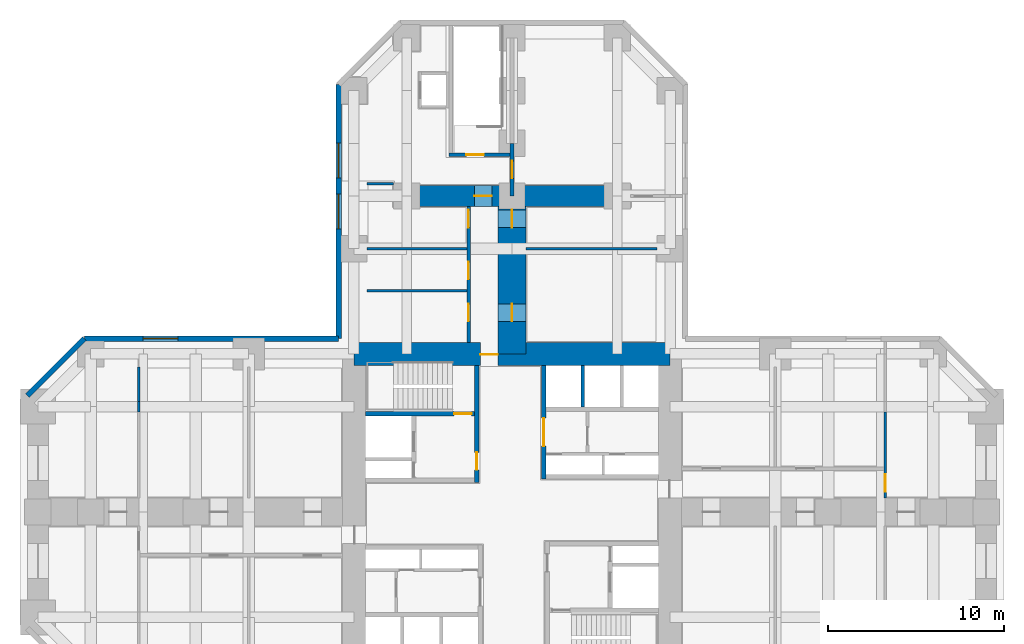
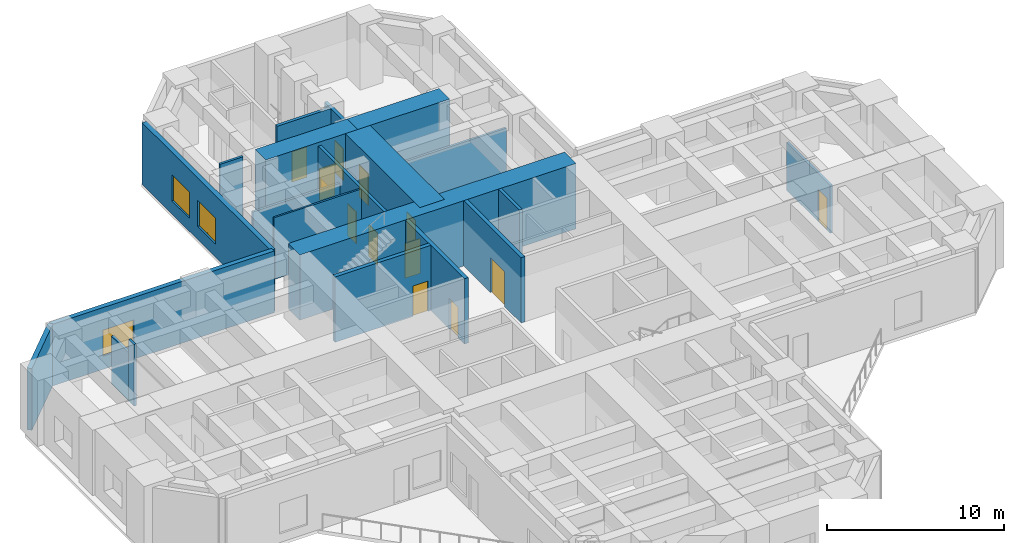
# One storey, part 6 of 8: 21 walls, 13 doors, 3 windows, 16 openings.
"""IFC4 building model written with IfcOpenShell, lengths in metres."""

from ifc_helpers import new_model, si_unit, direction, frame, frame_2d, origin, place, context, subcontext, project, spatial, rectangle, hollow_rectangle, extrude, material, layer, layer_set, constituent, constituent_set, type_object, element, fill, save


model = new_model("IFC4")

# Units and contexts
model_context = context("Model", 3, precision=1e-05, world=origin(), true_north=direction((0.0, 1.0)))
body_context = subcontext(model_context, "Body", "Model", "MODEL_VIEW")
ifc_project = project(units=[si_unit("LENGTHUNIT", "METRE"), si_unit("AREAUNIT", "SQUARE_METRE"), si_unit("VOLUMEUNIT", "CUBIC_METRE"), si_unit("PLANEANGLEUNIT", "RADIAN"), si_unit("MASSUNIT", "GRAM", prefix="KILO")], contexts=[model_context])

# Site, building, storey
site_placement = place(None, origin())
site = spatial("IfcSite", under=ifc_project, at=site_placement, CompositionType="ELEMENT")
building_placement = place(site_placement, origin())
building = spatial("IfcBuilding", under=site, at=building_placement, Name="Torre Cruceta", CompositionType="ELEMENT")
storey_placement = place(building_placement, frame((0.0, 0.0, 14.0)))
storey = spatial("IfcBuildingStorey", under=building, at=storey_placement, Name="L03", CompositionType="ELEMENT", Elevation=14.0)

# Wall, opening, door
ifc_material_1 = material(Name="Concrete G60 (fck 60 MPa)", Category="concrete")
ifc_layer_1 = layer(ifc_material_1, 0.25)
ifc_layer_set_1 = layer_set([ifc_layer_1], Name="Concrete G60 (fck 60 MPa)")
wall_type_1 = type_object("IfcWallType", Name="CORE INNER WALL 250 G60", PredefinedType="SHEAR", material=ifc_layer_set_1)
wall_1_placement = place(storey_placement, frame((1.800048828125, 1.875, 0.0), z_axis=(0.0, 0.0, 1.0), x_axis=(0.0, 1.0, 0.0)))
wall_1 = element("IfcWall", 1, at=wall_1_placement, inside=storey, type_object=wall_type_1, Name="CW4 L03 NE-CU", PredefinedType="SHEAR", context=body_context, shape_type="SweptSolid", body=[
    extrude(rectangle(XDim=6.47509765625, YDim=0.25, at=frame_2d((3.237548828125, 0.0))), origin(), (0.0, 0.0, 1.0), 4.5),
])
opening_1_placement = place(wall_1_placement, frame((1.875, 0.0, 0.0)))
opening_1 = element("IfcOpeningElement", 2, at=opening_1_placement, cuts=wall_1, Name="Opening D15", PredefinedType="OPENING", context=body_context, shape_type="SweptSolid", body=[
    extrude(rectangle(XDim=1.60009765625, YDim=2.39990234375, at=frame_2d((0.800048828125, 1.199951171875))), frame((0.0, 0.135009765625, 0.0), z_axis=(0.0, -1.0, 0.0), x_axis=(1.0, 0.0, 0.0)), (0.0, 0.0, 1.0), 0.27001953125),
])
ifc_material_2 = material(Name="Steel DX51D", Category="steel")
ifc_constituent_1 = constituent(ifc_material_2, Name="Leaf and frame")
ifc_material_3 = material(Name="Polyester powder coating", Category="paint")
ifc_constituent_2 = constituent(ifc_material_3, Name="Finish")
ifc_constituent_set_1 = constituent_set(constituents=[ifc_constituent_1, ifc_constituent_2], Name="Steel fire door")
door_type_1 = type_object("IfcDoorType", Name="CORE ROOM DOUBLE DOOR 1600X2400", OperationType="DOUBLE_DOOR_SINGLE_SWING", PredefinedType="DOOR", material=ifc_constituent_set_1)
door_1_placement = place(opening_1_placement, frame((1.60009765625, 0.0, 0.0), z_axis=(0.0, 0.0, 1.0), x_axis=(-1.0, 0.0, 0.0)))
door_1 = element("IfcDoor", 3, at=door_1_placement, inside=storey, type_object=door_type_1, Name="D15 L03 NE-LOBBY", OperationType="DOUBLE_DOOR_SINGLE_SWING", OverallHeight=2.39990234375, OverallWidth=1.60009765625, PredefinedType="DOOR", context=body_context, shape_type="SweptSolid", body=[
    extrude(rectangle(XDim=1.60009765625, YDim=2.39990234375, at=frame_2d((0.800048828125, 1.199951171875))), frame((0.0, 0.025146484375, 0.0), z_axis=(0.0, -1.0, 0.0), x_axis=(1.0, 0.0, 0.0)), (0.0, 0.0, 1.0), 0.050048828125),
])
fill(opening_1, door_1)

wall_2_placement = place(storey_placement, frame((-2.0, 1.675048828125, 0.0), z_axis=(0.0, 0.0, 1.0), x_axis=(0.0, 1.0, 0.0)))
wall_2 = element("IfcWall", 4, at=wall_2_placement, inside=storey, type_object=wall_type_1, Name="CW4 L03 NW-CU", PredefinedType="SHEAR", context=body_context, shape_type="SweptSolid", body=[
    extrude(rectangle(XDim=6.675048828125, YDim=0.25, at=frame_2d((3.33740234375, 0.0))), origin(), (0.0, 0.0, 1.0), 4.5),
])
opening_2_placement = place(wall_2_placement, frame((0.72509765625, 0.0, 0.0)))
opening_2 = element("IfcOpeningElement", 5, at=opening_2_placement, cuts=wall_2, Name="Opening D3", PredefinedType="OPENING", context=body_context, shape_type="SweptSolid", body=[
    extrude(rectangle(XDim=1.0, YDim=2.10009765625, at=frame_2d((0.5, 1.050048828125))), frame((0.0, 0.135009765625, 0.0), z_axis=(0.0, -1.0, 0.0), x_axis=(1.0, 0.0, 0.0)), (0.0, 0.0, 1.0), 0.27001953125),
])
ifc_material_4 = material(Name="Steel DX51D", Category="steel")
ifc_constituent_3 = constituent(ifc_material_4, Name="Leaf and frame")
ifc_material_5 = material(Name="Polyester powder coating", Category="paint")
ifc_constituent_4 = constituent(ifc_material_5, Name="Finish")
ifc_constituent_set_2 = constituent_set(constituents=[ifc_constituent_3, ifc_constituent_4], Name="Steel fire door")
door_type_2 = type_object("IfcDoorType", Name="FIRE DOOR 1000X2100", OperationType="SINGLE_SWING_LEFT", PredefinedType="DOOR", material=ifc_constituent_set_2)
door_2_placement = place(opening_2_placement, origin())
door_2 = element("IfcDoor", 6, at=door_2_placement, inside=storey, type_object=door_type_2, Name="D3 L03 NW-LOBBY", OperationType="SINGLE_SWING_LEFT", OverallHeight=2.10009765625, OverallWidth=1.0, PredefinedType="DOOR", context=body_context, shape_type="SweptSolid", body=[
    extrude(rectangle(XDim=1.0, YDim=2.10009765625, at=frame_2d((0.5, 1.050048828125))), frame((0.0, 0.02490234375, 0.0), z_axis=(0.0, -1.0, 0.0), x_axis=(1.0, 0.0, 0.0)), (0.0, 0.0, 1.0), 0.050048828125),
])
fill(opening_2, door_2)

wall_3_placement = place(storey_placement, frame((-2.125, 5.60009765625, 0.0), z_axis=(0.0, 0.0, 1.0), x_axis=(-1.0, 0.0, 0.0)))
wall_3 = element("IfcWall", 7, at=wall_3_placement, inside=storey, type_object=wall_type_1, Name="CW4 L03 NW-SV", PredefinedType="SHEAR", context=body_context, shape_type="SweptSolid", body=[
    extrude(rectangle(XDim=6.22509765625, YDim=0.25, at=frame_2d((3.112548828125, 0.0))), origin(), (0.0, 0.0, 1.0), 4.5),
])
opening_3_placement = place(wall_3_placement, frame((0.175048828125, 0.0, 0.0)))
opening_3 = element("IfcOpeningElement", 8, at=opening_3_placement, cuts=wall_3, Name="Opening D3", PredefinedType="OPENING", context=body_context, shape_type="SweptSolid", body=[
    extrude(rectangle(XDim=1.0, YDim=2.10009765625, at=frame_2d((0.5, 1.050048828125))), frame((0.0, 0.135009765625, 0.0), z_axis=(0.0, -1.0, 0.0), x_axis=(1.0, 0.0, 0.0)), (0.0, 0.0, 1.0), 0.27001953125),
])
door_3_placement = place(opening_3_placement, frame((1.0, 0.0, 0.0), z_axis=(0.0, 0.0, 1.0), x_axis=(-1.0, 0.0, 0.0)))
door_3 = element("IfcDoor", 9, at=door_3_placement, inside=storey, type_object=door_type_2, Name="D3 L03 NW-STAIR", OperationType="SINGLE_SWING_RIGHT", OverallHeight=2.10009765625, OverallWidth=1.0, PredefinedType="DOOR", context=body_context, shape_type="SweptSolid", body=[
    extrude(rectangle(XDim=1.0, YDim=2.10009765625, at=frame_2d((0.5, 1.050048828125))), frame((0.0, 0.025146484375, 0.0), z_axis=(0.0, -1.0, 0.0), x_axis=(1.0, 0.0, 0.0)), (0.0, 0.0, 1.0), 0.050048828125),
])
fill(opening_3, door_3)

ifc_material_6 = material(Name="Concrete G60 (fck 60 MPa)", Category="concrete")
ifc_layer_2 = layer(ifc_material_6, 1.300048828125)
ifc_layer_set_2 = layer_set([ifc_layer_2], Name="Concrete G60 (fck 60 MPa)")
wall_type_2 = type_object("IfcWallType", Name="CORE WALL 1300 G60", PredefinedType="SHEAR", material=ifc_layer_set_2)
wall_4_placement = place(storey_placement, frame((9.0, 9.0, 0.0), z_axis=(0.0, 0.0, 1.0), x_axis=(-1.0, 0.0, 0.0)))
wall_4 = element("IfcWall", 10, at=wall_4_placement, inside=storey, type_object=wall_type_2, Name="CW1 L03 CW-N", PredefinedType="SHEAR", context=body_context, shape_type="SweptSolid", body=[
    extrude(rectangle(XDim=18.0, YDim=1.300048828125, at=frame_2d((9.0, 0.0))), origin(), (0.0, 0.0, 1.0), 4.5),
])
opening_4_placement = place(wall_4_placement, frame((9.800048828125, 0.0, 0.0)))
opening_4 = element("IfcOpeningElement", 11, at=opening_4_placement, cuts=wall_4, Name="Opening D4", PredefinedType="OPENING", context=body_context, shape_type="SweptSolid", body=[
    extrude(rectangle(XDim=1.0, YDim=2.39990234375, at=frame_2d((0.5, 1.199951171875))), frame((0.0, 0.659912109375, 0.0), z_axis=(0.0, -1.0, 0.0), x_axis=(1.0, 0.0, 0.0)), (0.0, 0.0, 1.0), 1.320068359375),
])
ifc_material_7 = material(Name="Steel DX51D", Category="steel")
ifc_constituent_5 = constituent(ifc_material_7, Name="Leaf and frame")
ifc_material_8 = material(Name="Polyester powder coating", Category="paint")
ifc_constituent_6 = constituent(ifc_material_8, Name="Finish")
ifc_constituent_set_3 = constituent_set(constituents=[ifc_constituent_5, ifc_constituent_6], Name="Steel fire door")
door_type_3 = type_object("IfcDoorType", Name="CORE ARM DOOR 1000X2400", OperationType="SINGLE_SWING_RIGHT", PredefinedType="DOOR", material=ifc_constituent_set_3)
door_4_placement = place(opening_4_placement, origin())
door_4 = element("IfcDoor", 12, at=door_4_placement, inside=storey, type_object=door_type_3, Name="D4 L03 CW-N", OperationType="SINGLE_SWING_RIGHT", OverallHeight=2.39990234375, OverallWidth=1.0, PredefinedType="DOOR", context=body_context, shape_type="SweptSolid", body=[
    extrude(rectangle(XDim=1.0, YDim=2.39990234375, at=frame_2d((0.5, 1.199951171875))), frame((0.0, 0.05517578125, 0.0), z_axis=(0.0, -1.0, 0.0), x_axis=(1.0, 0.0, 0.0)), (0.0, 0.0, 1.0), 0.050048828125),
])
fill(opening_4, door_4)

# Wall, openings, doors
ifc_material_9 = material(Name="Concrete G25 (fck 25 MPa)", Category="concrete")
ifc_layer_3 = layer(ifc_material_9, 0.199951171875)
ifc_layer_set_3 = layer_set([ifc_layer_3], Name="Concrete G25 (fck 25 MPa)")
wall_type_3 = type_object("IfcWallType", Name="CORRIDOR WALL 200", PredefinedType="SOLIDWALL", material=ifc_layer_set_3)
wall_5_placement = place(storey_placement, frame((-2.47509765625, 9.64990234375, 0.0), z_axis=(0.0, 0.0, 1.0), x_axis=(0.0, 1.0, 0.0)))
wall_5 = element("IfcWall", 13, at=wall_5_placement, inside=storey, type_object=wall_type_3, Name="PT3 L03-N-CL", PredefinedType="SOLIDWALL", context=body_context, shape_type="SweptSolid", body=[
    extrude(rectangle(XDim=7.75, YDim=0.199951171875, at=frame_2d((3.875, 0.0))), origin(), (0.0, 0.0, 1.0), 4.25),
])
opening_5_placement = place(wall_5_placement, frame((1.199951171875, 0.0, 0.0)))
opening_5 = element("IfcOpeningElement", 14, at=opening_5_placement, cuts=wall_5, Name="Opening D14", PredefinedType="OPENING", context=body_context, shape_type="SweptSolid", body=[
    extrude(rectangle(XDim=1.0, YDim=2.199951171875, at=frame_2d((0.5, 1.10009765625))), frame((0.0, 0.10986328125, 0.0), z_axis=(0.0, -1.0, 0.0), x_axis=(1.0, 0.0, 0.0)), (0.0, 0.0, 1.0), 0.219970703125),
])
opening_6_placement = place(wall_5_placement, frame((3.60009765625, 0.0, 0.0)))
opening_6 = element("IfcOpeningElement", 15, at=opening_6_placement, cuts=wall_5, Name="Opening D14", PredefinedType="OPENING", context=body_context, shape_type="SweptSolid", body=[
    extrude(rectangle(XDim=1.0, YDim=2.199951171875, at=frame_2d((0.5, 1.10009765625))), frame((0.0, 0.10986328125, 0.0), z_axis=(0.0, -1.0, 0.0), x_axis=(1.0, 0.0, 0.0)), (0.0, 0.0, 1.0), 0.219970703125),
])
opening_7_placement = place(wall_5_placement, frame((6.550048828125, 0.0, 0.0)))
opening_7 = element("IfcOpeningElement", 16, at=opening_7_placement, cuts=wall_5, Name="Opening D14", PredefinedType="OPENING", context=body_context, shape_type="SweptSolid", body=[
    extrude(rectangle(XDim=1.0, YDim=2.199951171875, at=frame_2d((0.5, 1.10009765625))), frame((0.0, 0.10986328125, 0.0), z_axis=(0.0, -1.0, 0.0), x_axis=(1.0, 0.0, 0.0)), (0.0, 0.0, 1.0), 0.219970703125),
])
ifc_material_10 = material(Name="Steel DX51D", Category="steel")
ifc_constituent_7 = constituent(ifc_material_10, Name="Leaf and frame")
ifc_material_11 = material(Name="Polyester powder coating", Category="paint")
ifc_constituent_8 = constituent(ifc_material_11, Name="Finish")
ifc_material_12 = material(Name="Fire-resisting glass", Category="glass")
ifc_constituent_9 = constituent(ifc_material_12, Name="Vision panel")
ifc_constituent_set_4 = constituent_set(constituents=[ifc_constituent_7, ifc_constituent_8, ifc_constituent_9], Name="Steel fire door with vision panel")
door_type_4 = type_object("IfcDoorType", Name="FIRE DOOR VISION PANEL 1000X2200", OperationType="SINGLE_SWING_RIGHT", PredefinedType="DOOR", material=ifc_constituent_set_4)
door_5_placement = place(opening_5_placement, origin())
door_5 = element("IfcDoor", 17, at=door_5_placement, inside=storey, type_object=door_type_4, Name="D14 L03-N-CL-D1", OperationType="SINGLE_SWING_RIGHT", OverallHeight=2.199951171875, OverallWidth=1.0, PredefinedType="DOOR", context=body_context, shape_type="SweptSolid", body=[
    extrude(rectangle(XDim=1.0, YDim=2.199951171875, at=frame_2d((0.5, 1.10009765625))), frame((0.0, 0.02490234375, 0.0), z_axis=(0.0, -1.0, 0.0), x_axis=(1.0, 0.0, 0.0)), (0.0, 0.0, 1.0), 0.050048828125),
])
fill(opening_5, door_5)
door_6_placement = place(opening_6_placement, origin())
door_6 = element("IfcDoor", 18, at=door_6_placement, inside=storey, type_object=door_type_4, Name="D14 L03-N-CL-D2", OperationType="SINGLE_SWING_LEFT", OverallHeight=2.199951171875, OverallWidth=1.0, PredefinedType="DOOR", context=body_context, shape_type="SweptSolid", body=[
    extrude(rectangle(XDim=1.0, YDim=2.199951171875, at=frame_2d((0.5, 1.10009765625))), frame((0.0, 0.02490234375, 0.0), z_axis=(0.0, -1.0, 0.0), x_axis=(1.0, 0.0, 0.0)), (0.0, 0.0, 1.0), 0.050048828125),
])
fill(opening_6, door_6)
door_7_placement = place(opening_7_placement, origin())
door_7 = element("IfcDoor", 19, at=door_7_placement, inside=storey, type_object=door_type_4, Name="D14 L03-N-CL-D3", OperationType="SINGLE_SWING_RIGHT", OverallHeight=2.199951171875, OverallWidth=1.0, PredefinedType="DOOR", context=body_context, shape_type="SweptSolid", body=[
    extrude(rectangle(XDim=1.0, YDim=2.199951171875, at=frame_2d((0.5, 1.10009765625))), frame((0.0, 0.02490234375, 0.0), z_axis=(0.0, -1.0, 0.0), x_axis=(1.0, 0.0, 0.0)), (0.0, 0.0, 1.0), 0.050048828125),
])
fill(opening_7, door_7)

# Wall, opening, door
wall_6_placement = place(storey_placement, frame((0.0, 18.0, 0.0), z_axis=(0.0, 0.0, 1.0), x_axis=(0.0, 1.0, 0.0)))
wall_6 = element("IfcWall", 20, at=wall_6_placement, inside=storey, type_object=wall_type_3, Name="PT3 spine line L03 N", PredefinedType="SOLIDWALL", context=body_context, shape_type="SweptSolid", body=[
    extrude(rectangle(XDim=3.0, YDim=0.199951171875, at=frame_2d((1.5, 0.0))), origin(), (0.0, 0.0, 1.0), 4.25),
])
opening_8_placement = place(wall_6_placement, frame((1.0, 0.0, 0.0)))
opening_8 = element("IfcOpeningElement", 21, at=opening_8_placement, cuts=wall_6, Name="Opening D14", PredefinedType="OPENING", context=body_context, shape_type="SweptSolid", body=[
    extrude(rectangle(XDim=1.0, YDim=2.199951171875, at=frame_2d((0.5, 1.10009765625))), frame((0.0, 0.10986328125, 0.0), z_axis=(0.0, -1.0, 0.0), x_axis=(1.0, 0.0, 0.0)), (0.0, 0.0, 1.0), 0.219970703125),
])
door_8_placement = place(opening_8_placement, frame((1.0, 0.0, 0.0), z_axis=(0.0, 0.0, 1.0), x_axis=(-1.0, 0.0, 0.0)))
door_8 = element("IfcDoor", 22, at=door_8_placement, inside=storey, type_object=door_type_4, Name="D14 L03-N-SP3", OperationType="SINGLE_SWING_RIGHT", OverallHeight=2.199951171875, OverallWidth=1.0, PredefinedType="DOOR", context=body_context, shape_type="SweptSolid", body=[
    extrude(rectangle(XDim=1.0, YDim=2.199951171875, at=frame_2d((0.5, 1.10009765625))), frame((0.0, 0.025146484375, 0.0), z_axis=(0.0, -1.0, 0.0), x_axis=(1.0, 0.0, 0.0)), (0.0, 0.0, 1.0), 0.050048828125),
])
fill(opening_8, door_8)

ifc_material_13 = material(Name="Concrete G60 (fck 60 MPa)", Category="concrete")
ifc_layer_4 = layer(ifc_material_13, 1.199951171875)
ifc_layer_set_4 = layer_set([ifc_layer_4], Name="Concrete G60 (fck 60 MPa)")
wall_type_4 = type_object("IfcWallType", Name="CROSS WALL 1200 G60", PredefinedType="SHEAR", material=ifc_layer_set_4)
wall_7_placement = place(storey_placement, frame((0.0, 18.0, 0.0), z_axis=(0.0, 0.0, 1.0), x_axis=(-1.0, 0.0, 0.0)))
wall_7 = element("IfcWall", 23, at=wall_7_placement, inside=storey, type_object=wall_type_4, Name="XW1 cross wall L03 N L", PredefinedType="SHEAR", context=body_context, shape_type="SweptSolid", body=[
    extrude(rectangle(XDim=6.0, YDim=1.199951171875, at=frame_2d((3.0, 0.0))), origin(), (0.0, 0.0, 1.0), 4.5),
])
opening_9_placement = place(wall_7_placement, frame((1.14990234375, 0.0, 0.0)))
opening_9 = element("IfcOpeningElement", 24, at=opening_9_placement, cuts=wall_7, Name="Opening D14", PredefinedType="OPENING", context=body_context, shape_type="SweptSolid", body=[
    extrude(rectangle(XDim=1.0, YDim=2.199951171875, at=frame_2d((0.5, 1.10009765625))), frame((0.0, 0.60986328125, 0.0), z_axis=(0.0, -1.0, 0.0), x_axis=(1.0, 0.0, 0.0)), (0.0, 0.0, 1.0), 1.219970703125),
])
door_9_placement = place(opening_9_placement, frame((1.0, 0.0, 0.0), z_axis=(0.0, 0.0, 1.0), x_axis=(-1.0, 0.0, 0.0)))
door_9 = element("IfcDoor", 25, at=door_9_placement, inside=storey, type_object=door_type_4, Name="D14 L03-N-XW1", OperationType="SINGLE_SWING_RIGHT", OverallHeight=2.199951171875, OverallWidth=1.0, PredefinedType="DOOR", context=body_context, shape_type="SweptSolid", body=[
    extrude(rectangle(XDim=1.0, YDim=2.199951171875, at=frame_2d((0.5, 1.10009765625))), frame((0.0, 0.025146484375, 0.0), z_axis=(0.0, -1.0, 0.0), x_axis=(1.0, 0.0, 0.0)), (0.0, 0.0, 1.0), 0.050048828125),
])
fill(opening_9, door_9)

# Wall
wall_8_placement = place(storey_placement, frame((0.0, 18.0, 0.0), z_axis=(0.0, 0.0, 1.0), x_axis=(1.0, 0.0, 0.0)))
element("IfcWall", 26, at=wall_8_placement, inside=storey, type_object=wall_type_4, Name="XW1 cross wall L03 N R", PredefinedType="SHEAR", context=body_context, shape_type="SweptSolid", body=[
    extrude(rectangle(XDim=6.0, YDim=1.199951171875, at=frame_2d((3.0, 0.0))), origin(), (0.0, 0.0, 1.0), 4.5),
])

# Wall, openings, windows
ifc_material_14 = material(Name="Concrete G30 (fck 30 MPa)", Category="concrete")
ifc_layer_5 = layer(ifc_material_14, 0.300048828125)
ifc_layer_set_5 = layer_set([ifc_layer_5], Name="Concrete G30 (fck 30 MPa)")
wall_type_5 = type_object("IfcWallType", Name="EXPOSED CONCRETE FACADE WALL 300", PredefinedType="SOLIDWALL", material=ifc_layer_set_5)
wall_9_placement = place(storey_placement, frame((-9.8701171875, 24.3603515625, 0.0), z_axis=(0.0, 0.0, 1.0), x_axis=(0.0, -1.0, 0.0)))
wall_9 = element("IfcWall", 27, at=wall_9_placement, inside=storey, type_object=wall_type_5, Name="EW1 facade wall L03 N side 09", PredefinedType="SOLIDWALL", context=body_context, shape_type="SweptSolid", body=[
    extrude(rectangle(XDim=14.490234375, YDim=0.300048828125, at=frame_2d((7.2451171875, 0.0))), origin(), (0.0, 0.0, 1.0), 4.25),
])
opening_10_placement = place(wall_9_placement, frame((3.34716796875, 0.0, 0.89990234375)))
opening_10 = element("IfcOpeningElement", 28, at=opening_10_placement, cuts=wall_9, Name="Opening WN1", PredefinedType="OPENING", context=body_context, shape_type="SweptSolid", body=[
    extrude(rectangle(XDim=2.0, YDim=1.800048828125, at=frame_2d((1.0, 0.89990234375))), frame((0.0, 0.159912109375, 0.0), z_axis=(0.0, -1.0, 0.0), x_axis=(1.0, 0.0, 0.0)), (0.0, 0.0, 1.0), 0.320068359375),
])
opening_11_placement = place(wall_9_placement, frame((6.2451171875, 0.0, 0.89990234375)))
opening_11 = element("IfcOpeningElement", 29, at=opening_11_placement, cuts=wall_9, Name="Opening WN1", PredefinedType="OPENING", context=body_context, shape_type="SweptSolid", body=[
    extrude(rectangle(XDim=2.0, YDim=1.800048828125, at=frame_2d((1.0, 0.89990234375))), frame((0.0, 0.159912109375, 0.0), z_axis=(0.0, -1.0, 0.0), x_axis=(1.0, 0.0, 0.0)), (0.0, 0.0, 1.0), 0.320068359375),
])
ifc_material_15 = material(Name="Aluminium window frame", Category="aluminium")
ifc_constituent_10 = constituent(ifc_material_15, Name="Frame")
ifc_material_16 = material(Name="Laminated insulating glass unit, low-iron clear", Category="glass")
ifc_constituent_11 = constituent(ifc_material_16, Name="Glazing")
ifc_constituent_set_5 = constituent_set(constituents=[ifc_constituent_10, ifc_constituent_11], Name="Aluminium window")
window_type = type_object("IfcWindowType", Name="SCHOOL WINDOW 2000X1800", PartitioningType="SINGLE_PANEL", PredefinedType="WINDOW", material=ifc_constituent_set_5)
window_1_placement = place(opening_10_placement, origin())
window_1 = element("IfcWindow", 30, at=window_1_placement, inside=storey, type_object=window_type, Name="WN1 L03 N 2", OverallHeight=1.800048828125, OverallWidth=2.0, PartitioningType="SINGLE_PANEL", PredefinedType="WINDOW", context=body_context, shape_type="SweptSolid", body=[
    extrude(hollow_rectangle(XDim=2.0, YDim=1.800048828125, WallThickness=0.06005859375, at=frame_2d((1.0, 0.89990234375))), frame((0.0, 0.030029296875, 0.0), z_axis=(0.0, -1.0, 0.0), x_axis=(1.0, 0.0, 0.0)), (0.0, 0.0, 1.0), 0.06005859375),
    extrude(rectangle(XDim=1.87890625, YDim=1.678955078125, at=frame_2d((1.0, 0.89990234375))), frame((0.0, 0.030029296875, 0.0), z_axis=(0.0, -1.0, 0.0), x_axis=(1.0, 0.0, 0.0)), (0.0, 0.0, 1.0), 0.06005859375),
])
fill(opening_10, window_1)
window_2_placement = place(opening_11_placement, origin())
window_2 = element("IfcWindow", 31, at=window_2_placement, inside=storey, type_object=window_type, Name="WN1 L03 N 3", OverallHeight=1.800048828125, OverallWidth=2.0, PartitioningType="SINGLE_PANEL", PredefinedType="WINDOW", context=body_context, shape_type="SweptSolid", body=[
    extrude(hollow_rectangle(XDim=2.0, YDim=1.800048828125, WallThickness=0.06005859375, at=frame_2d((1.0, 0.89990234375))), frame((0.0, 0.030029296875, 0.0), z_axis=(0.0, -1.0, 0.0), x_axis=(1.0, 0.0, 0.0)), (0.0, 0.0, 1.0), 0.06005859375),
    extrude(rectangle(XDim=1.87890625, YDim=1.678955078125, at=frame_2d((1.0, 0.89990234375))), frame((0.0, 0.030029296875, 0.0), z_axis=(0.0, -1.0, 0.0), x_axis=(1.0, 0.0, 0.0)), (0.0, 0.0, 1.0), 0.06005859375),
])
fill(opening_11, window_2)

# Wall, opening, window
wall_10_placement = place(storey_placement, frame((-9.8701171875, 9.8701171875, 0.0), z_axis=(0.0, 0.0, 1.0), x_axis=(-1.0, 0.0, 0.0)))
wall_10 = element("IfcWall", 32, at=wall_10_placement, inside=storey, type_object=wall_type_5, Name="EW1 facade wall L03 W side 10", PredefinedType="SOLIDWALL", context=body_context, shape_type="SweptSolid", body=[
    extrude(rectangle(XDim=14.490234375, YDim=0.300048828125, at=frame_2d((7.2451171875, 0.0))), origin(), (0.0, 0.0, 1.0), 4.25),
])
opening_12_placement = place(wall_10_placement, frame((9.143310546875, 0.0, 0.89990234375)))
opening_12 = element("IfcOpeningElement", 33, at=opening_12_placement, cuts=wall_10, Name="Opening WN1", PredefinedType="OPENING", context=body_context, shape_type="SweptSolid", body=[
    extrude(rectangle(XDim=2.0, YDim=1.800048828125, at=frame_2d((1.0, 0.89990234375))), frame((0.0, 0.159912109375, 0.0), z_axis=(0.0, -1.0, 0.0), x_axis=(1.0, 0.0, 0.0)), (0.0, 0.0, 1.0), 0.320068359375),
])
window_3_placement = place(opening_12_placement, origin())
window_3 = element("IfcWindow", 34, at=window_3_placement, inside=storey, type_object=window_type, Name="WN1 L03 W 4", OverallHeight=1.800048828125, OverallWidth=2.0, PartitioningType="SINGLE_PANEL", PredefinedType="WINDOW", context=body_context, shape_type="SweptSolid", body=[
    extrude(hollow_rectangle(XDim=2.0, YDim=1.800048828125, WallThickness=0.06005859375, at=frame_2d((1.0, 0.89990234375))), frame((0.0, 0.030029296875, 0.0), z_axis=(0.0, -1.0, 0.0), x_axis=(1.0, 0.0, 0.0)), (0.0, 0.0, 1.0), 0.06005859375),
    extrude(rectangle(XDim=1.87890625, YDim=1.678955078125, at=frame_2d((1.0, 0.89990234375))), frame((0.0, 0.030029296875, 0.0), z_axis=(0.0, -1.0, 0.0), x_axis=(1.0, 0.0, 0.0)), (0.0, 0.0, 1.0), 0.06005859375),
])
fill(opening_12, window_3)

# Walls
wall_11_placement = place(storey_placement, frame((-24.3603515625, 9.8701171875, 0.0), z_axis=(0.0, 0.0, 1.0), x_axis=(-0.707106781187, -0.707106781187, 0.0)))
element("IfcWall", 35, at=wall_11_placement, inside=storey, type_object=wall_type_5, Name="EW1 facade wall L03 W chamfer 11", PredefinedType="SOLIDWALL", context=body_context, shape_type="SweptSolid", body=[
    extrude(rectangle(XDim=4.581787109375, YDim=0.300048828125, at=frame_2d((2.291015625, 0.0))), origin(), (0.0, 0.0, 1.0), 4.25),
])
ifc_material_17 = material(Name="Concrete G35 (fck 35 MPa)", Category="concrete")
ifc_layer_6 = layer(ifc_material_17, 0.199951171875)
ifc_layer_set_6 = layer_set([ifc_layer_6], Name="Concrete G35 (fck 35 MPa)")
wall_type_6 = type_object("IfcWallType", Name="LIFT SHAFT WALL 200", PredefinedType="PARTITIONING", material=ifc_layer_set_6)
wall_12_placement = place(storey_placement, frame((4.033447265625, 5.97509765625, 0.0), z_axis=(0.0, 0.0, 1.0), x_axis=(0.0, 1.0, 0.0)))
element("IfcWall", 36, at=wall_12_placement, inside=storey, type_object=wall_type_6, Name="SW1 L03 NE-LS1", PredefinedType="PARTITIONING", context=body_context, shape_type="SweptSolid", body=[
    extrude(rectangle(XDim=2.375, YDim=0.199951171875, at=frame_2d((1.1875, 0.0))), origin(), (0.0, 0.0, 1.0), 4.5),
])
ifc_material_18 = material(Name="Plasterboard on steel studs", Category="steel")
ifc_layer_7 = layer(ifc_material_18, 0.14990234375)
ifc_layer_set_7 = layer_set([ifc_layer_7], Name="Plasterboard on steel studs")
wall_type_7 = type_object("IfcWallType", Name="PARTITION 150", PredefinedType="PARTITIONING", material=ifc_layer_set_7)
wall_13_placement = place(storey_placement, frame((-2.574951171875, 15.0, 0.0), z_axis=(0.0, 0.0, 1.0), x_axis=(-1.0, 0.0, 0.0)))
element("IfcWall", 37, at=wall_13_placement, inside=storey, type_object=wall_type_7, Name="PT1 L03-N-P1L", PredefinedType="PARTITIONING", context=body_context, shape_type="SweptSolid", body=[
    extrude(rectangle(XDim=5.675048828125, YDim=0.14990234375, at=frame_2d((2.83740234375, 0.0))), origin(), (0.0, 0.0, 1.0), 3.199951171875),
])
wall_14_placement = place(storey_placement, frame((8.25, 15.0, 0.0), z_axis=(0.0, 0.0, 1.0), x_axis=(-1.0, 0.0, 0.0)))
element("IfcWall", 38, at=wall_14_placement, inside=storey, type_object=wall_type_7, Name="PT1 L03-N-P1R", PredefinedType="PARTITIONING", context=body_context, shape_type="SweptSolid", body=[
    extrude(rectangle(XDim=7.449951171875, YDim=0.14990234375, at=frame_2d((3.72509765625, 0.0))), origin(), (0.0, 0.0, 1.0), 3.199951171875),
])
wall_15_placement = place(storey_placement, frame((-6.75, 18.699951171875, 0.0), z_axis=(0.0, 0.0, 1.0), x_axis=(-1.0, 0.0, 0.0)))
element("IfcWall", 39, at=wall_15_placement, inside=storey, type_object=wall_type_7, Name="PT1 L03-N-SB3", PredefinedType="PARTITIONING", context=body_context, shape_type="SweptSolid", body=[
    extrude(rectangle(XDim=1.5, YDim=0.14990234375, at=frame_2d((0.75, 0.0))), origin(), (0.0, 0.0, 1.0), 4.25),
])

# Wall, opening, door
wall_16_placement = place(storey_placement, frame((21.25, 0.800048828125, 0.0), z_axis=(0.0, 0.0, 1.0), x_axis=(0.0, 1.0, 0.0)))
wall_16 = element("IfcWall", 40, at=wall_16_placement, inside=storey, type_object=wall_type_7, Name="PT1 L03-E-ENDb", PredefinedType="PARTITIONING", context=body_context, shape_type="SweptSolid", body=[
    extrude(rectangle(XDim=4.89990234375, YDim=0.14990234375, at=frame_2d((2.449951171875, 0.0))), origin(), (0.0, 0.0, 1.0), 3.300048828125),
])
opening_13_placement = place(wall_16_placement, frame((0.35009765625, 0.0, 0.0)))
opening_13 = element("IfcOpeningElement", 41, at=opening_13_placement, cuts=wall_16, Name="Opening D14", PredefinedType="OPENING", context=body_context, shape_type="SweptSolid", body=[
    extrude(rectangle(XDim=1.0, YDim=2.199951171875, at=frame_2d((0.5, 1.10009765625))), frame((0.0, 0.0849609375, 0.0), z_axis=(0.0, -1.0, 0.0), x_axis=(1.0, 0.0, 0.0)), (0.0, 0.0, 1.0), 0.169921875),
])
door_10_placement = place(opening_13_placement, frame((1.0, 0.0, 0.0), z_axis=(0.0, 0.0, 1.0), x_axis=(-1.0, 0.0, 0.0)))
door_10 = element("IfcDoor", 42, at=door_10_placement, inside=storey, type_object=door_type_4, Name="D14 L03-E-ENDb-D1", OperationType="SINGLE_SWING_LEFT", OverallHeight=2.199951171875, OverallWidth=1.0, PredefinedType="DOOR", context=body_context, shape_type="SweptSolid", body=[
    extrude(rectangle(XDim=1.0, YDim=2.199951171875, at=frame_2d((0.5, 1.10009765625))), frame((0.0, 0.025146484375, 0.0), z_axis=(0.0, -1.0, 0.0), x_axis=(1.0, 0.0, 0.0)), (0.0, 0.0, 1.0), 0.050048828125),
])
fill(opening_13, door_10)

# Walls
wall_17_placement = place(storey_placement, frame((-21.25, 8.25, 0.0), z_axis=(0.0, 0.0, 1.0), x_axis=(0.0, -1.0, 0.0)))
element("IfcWall", 43, at=wall_17_placement, inside=storey, type_object=wall_type_7, Name="PT1 L03-W-ENDa", PredefinedType="PARTITIONING", context=body_context, shape_type="SweptSolid", body=[
    extrude(rectangle(XDim=1.949951171875, YDim=0.14990234375, at=frame_2d((0.97509765625, 0.0))), origin(), (0.0, 0.0, 1.0), 3.300048828125),
])
wall_18_placement = place(storey_placement, frame((-21.25, 6.300048828125, 0.0), z_axis=(0.0, 0.0, 1.0), x_axis=(0.0, -1.0, 0.0)))
element("IfcWall", 44, at=wall_18_placement, inside=storey, type_object=wall_type_7, Name="PT1 L03-W-ENDa 2", PredefinedType="PARTITIONING", context=body_context, shape_type="SweptSolid", body=[
    extrude(rectangle(XDim=0.60009765625, YDim=0.14990234375, at=frame_2d((0.300048828125, 0.0))), origin(), (0.0, 0.0, 1.0), 4.25),
])

# Wall, openings, doors
ifc_material_19 = material(Name="Concrete G60 (fck 60 MPa)", Category="concrete")
ifc_layer_8 = layer(ifc_material_19, 1.60009765625)
ifc_layer_set_8 = layer_set([ifc_layer_8], Name="Concrete G60 (fck 60 MPa)")
wall_type_8 = type_object("IfcWallType", Name="SPINE WALL 1600 G60", PredefinedType="SHEAR", material=ifc_layer_set_8)
wall_19_placement = place(storey_placement, frame((0.0, 9.0, 0.0), z_axis=(0.0, 0.0, 1.0), x_axis=(0.0, 1.0, 0.0)))
wall_19 = element("IfcWall", 45, at=wall_19_placement, inside=storey, type_object=wall_type_8, Name="SW2 spine wall L03 N", PredefinedType="SHEAR", context=body_context, shape_type="SweptSolid", body=[
    extrude(rectangle(XDim=9.0, YDim=1.60009765625, at=frame_2d((4.5, 0.0))), origin(), (0.0, 0.0, 1.0), 4.5),
])
opening_14_placement = place(wall_19_placement, frame((1.85009765625, 0.0, 0.0)))
opening_14 = element("IfcOpeningElement", 46, at=opening_14_placement, cuts=wall_19, Name="Opening D14", PredefinedType="OPENING", context=body_context, shape_type="SweptSolid", body=[
    extrude(rectangle(XDim=1.0, YDim=2.199951171875, at=frame_2d((0.5, 1.10009765625))), frame((0.0, 0.81005859375, 0.0), z_axis=(0.0, -1.0, 0.0), x_axis=(1.0, 0.0, 0.0)), (0.0, 0.0, 1.0), 1.6201171875),
])
opening_15_placement = place(wall_19_placement, frame((7.199951171875, 0.0, 0.0)))
opening_15 = element("IfcOpeningElement", 47, at=opening_15_placement, cuts=wall_19, Name="Opening D14", PredefinedType="OPENING", context=body_context, shape_type="SweptSolid", body=[
    extrude(rectangle(XDim=1.0, YDim=2.199951171875, at=frame_2d((0.5, 1.10009765625))), frame((0.0, 0.81005859375, 0.0), z_axis=(0.0, -1.0, 0.0), x_axis=(1.0, 0.0, 0.0)), (0.0, 0.0, 1.0), 1.6201171875),
])
door_11_placement = place(opening_14_placement, frame((1.0, 0.0, 0.0), z_axis=(0.0, 0.0, 1.0), x_axis=(-1.0, 0.0, 0.0)))
door_11 = element("IfcDoor", 48, at=door_11_placement, inside=storey, type_object=door_type_4, Name="D14 L03-N-SP1", OperationType="SINGLE_SWING_RIGHT", OverallHeight=2.199951171875, OverallWidth=1.0, PredefinedType="DOOR", context=body_context, shape_type="SweptSolid", body=[
    extrude(rectangle(XDim=1.0, YDim=2.199951171875, at=frame_2d((0.5, 1.10009765625))), frame((0.0, 0.025146484375, 0.0), z_axis=(0.0, -1.0, 0.0), x_axis=(1.0, 0.0, 0.0)), (0.0, 0.0, 1.0), 0.050048828125),
])
fill(opening_14, door_11)
door_12_placement = place(opening_15_placement, frame((1.0, 0.0, 0.0), z_axis=(0.0, 0.0, 1.0), x_axis=(-1.0, 0.0, 0.0)))
door_12 = element("IfcDoor", 49, at=door_12_placement, inside=storey, type_object=door_type_4, Name="D14 L03-N-SP2", OperationType="SINGLE_SWING_LEFT", OverallHeight=2.199951171875, OverallWidth=1.0, PredefinedType="DOOR", context=body_context, shape_type="SweptSolid", body=[
    extrude(rectangle(XDim=1.0, YDim=2.199951171875, at=frame_2d((0.5, 1.10009765625))), frame((0.0, 0.025146484375, 0.0), z_axis=(0.0, -1.0, 0.0), x_axis=(1.0, 0.0, 0.0)), (0.0, 0.0, 1.0), 0.050048828125),
])
fill(opening_15, door_12)

# Wall, opening, door
ifc_material_20 = material(Name="Concrete G25 (fck 25 MPa)", Category="concrete")
ifc_layer_9 = layer(ifc_material_20, 0.199951171875)
ifc_layer_set_9 = layer_set([ifc_layer_9], Name="Concrete G25 (fck 25 MPa)")
wall_type_9 = type_object("IfcWallType", Name="UNIT SEPARATING WALL 200", PredefinedType="SOLIDWALL", material=ifc_layer_set_9)
wall_20_placement = place(storey_placement, frame((-0.10009765625, 20.35009765625, 0.0), z_axis=(0.0, 0.0, 1.0), x_axis=(-1.0, 0.0, 0.0)))
wall_20 = element("IfcWall", 50, at=wall_20_placement, inside=storey, type_object=wall_type_9, Name="PT2 L03-N-SB1", PredefinedType="SOLIDWALL", context=body_context, shape_type="SweptSolid", body=[
    extrude(rectangle(XDim=3.5, YDim=0.199951171875, at=frame_2d((1.75, 0.0))), origin(), (0.0, 0.0, 1.0), 4.25),
])
opening_16_placement = place(wall_20_placement, frame((1.5, 0.0, 0.0)))
opening_16 = element("IfcOpeningElement", 51, at=opening_16_placement, cuts=wall_20, Name="Opening D3", PredefinedType="OPENING", context=body_context, shape_type="SweptSolid", body=[
    extrude(rectangle(XDim=1.0, YDim=2.10009765625, at=frame_2d((0.5, 1.050048828125))), frame((0.0, 0.10986328125, 0.0), z_axis=(0.0, -1.0, 0.0), x_axis=(1.0, 0.0, 0.0)), (0.0, 0.0, 1.0), 0.219970703125),
])
door_13_placement = place(opening_16_placement, frame((1.0, 0.0, 0.0), z_axis=(0.0, 0.0, 1.0), x_axis=(-1.0, 0.0, 0.0)))
door_13 = element("IfcDoor", 52, at=door_13_placement, inside=storey, type_object=door_type_2, Name="D3 L03-N-SB1-D1", OperationType="SINGLE_SWING_LEFT", OverallHeight=2.10009765625, OverallWidth=1.0, PredefinedType="DOOR", context=body_context, shape_type="SweptSolid", body=[
    extrude(rectangle(XDim=1.0, YDim=2.10009765625, at=frame_2d((0.5, 1.050048828125))), frame((0.0, 0.025146484375, 0.0), z_axis=(0.0, -1.0, 0.0), x_axis=(1.0, 0.0, 0.0)), (0.0, 0.0, 1.0), 0.050048828125),
])
fill(opening_16, door_13)

# Wall
ifc_material_21 = material(Name="Plasterboard on steel studs", Category="steel")
ifc_layer_10 = layer(ifc_material_21, 0.1201171875)
ifc_layer_set_10 = layer_set([ifc_layer_10], Name="Plasterboard on steel studs")
wall_type_10 = type_object("IfcWallType", Name="WC PARTITION 120", PredefinedType="PLUMBINGWALL", material=ifc_layer_set_10)
wall_21_placement = place(storey_placement, frame((-2.574951171875, 12.60009765625, 0.0), z_axis=(0.0, 0.0, 1.0), x_axis=(-1.0, 0.0, 0.0)))
element("IfcWall", 53, at=wall_21_placement, inside=storey, type_object=wall_type_10, Name="PT5 L03-N-U1LX", PredefinedType="PLUMBINGWALL", context=body_context, shape_type="SweptSolid", body=[
    extrude(rectangle(XDim=5.675048828125, YDim=0.1201171875, at=frame_2d((2.83740234375, 0.0))), origin(), (0.0, 0.0, 1.0), 4.25),
])

save(model, "model.ifc")
